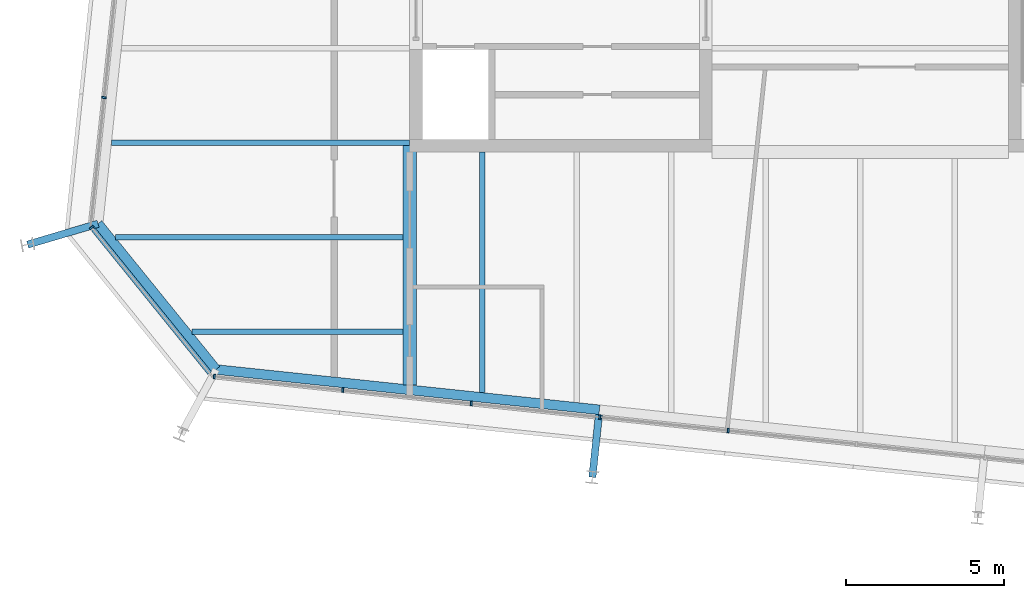
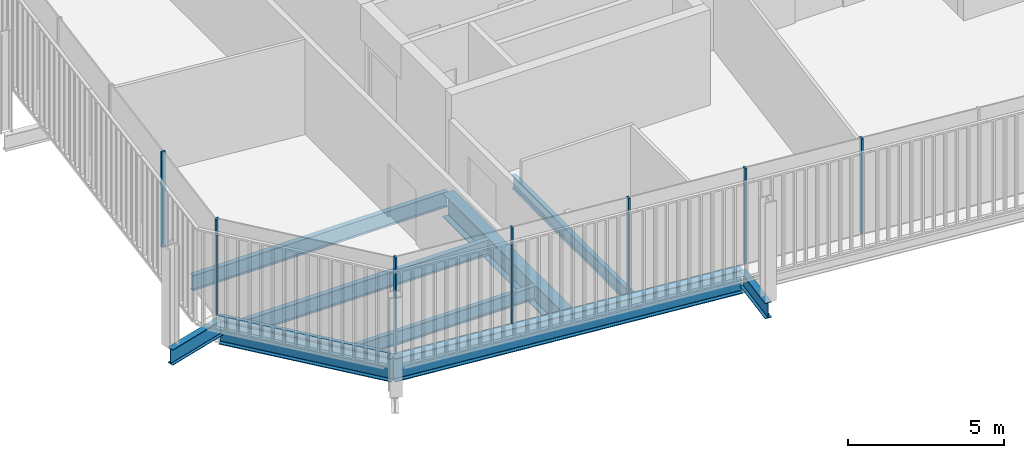
# One storey, part 3 of 20: 9 beams, 8 members, 3 elements without a shape of their own.
"""IFC4 building model written with IfcOpenShell, lengths in metres."""

from ifc_helpers import new_model, si_unit, direction, frame, origin, origin_2d, place, context, subcontext, project, spatial, rectangle, i_section, extrude, material, layer, layer_set, material_profile, profile_set, type_object, element, aggregate, save


model = new_model("IFC4")

# Units and contexts
model_context = context("Model", 3, precision=1e-05, world=origin(), true_north=direction((0.0, 1.0)))
body_context = subcontext(model_context, "Body", "Model", "MODEL_VIEW")
ifc_project = project(units=[si_unit("LENGTHUNIT", "METRE"), si_unit("AREAUNIT", "SQUARE_METRE"), si_unit("VOLUMEUNIT", "CUBIC_METRE"), si_unit("PLANEANGLEUNIT", "RADIAN"), si_unit("MASSUNIT", "GRAM", prefix="KILO")], contexts=[model_context])

# Site, building, storey
site_placement = place(None, origin())
site = spatial("IfcSite", under=ifc_project, at=site_placement, CompositionType="ELEMENT")
building_placement = place(site_placement, origin())
building = spatial("IfcBuilding", under=site, at=building_placement, Name="Millrace Tower", CompositionType="ELEMENT")
storey_placement = place(building_placement, frame((0.0, 0.0, 303.300048828125)))
storey = spatial("IfcBuildingStorey", under=building, at=storey_placement, Name="L70", CompositionType="ELEMENT", Elevation=303.300048828125)

# Curtain wall, member
ifc_material_1 = material(Name="Aluminium and glass", Category="aluminium")
ifc_layer = layer(ifc_material_1, 0.14990234375)
ifc_layer_set = layer_set([ifc_layer], Name="Aluminium and glass")
curtain_wall_type = type_object("IfcCurtainWallType", Name="CW-1 office vision curtain wall", PredefinedType="NOTDEFINED", material=ifc_layer_set)
placement = place(storey_placement, origin())
curtain_wall_1 = element("IfcCurtainWall", 1, at=placement, inside=storey, type_object=curtain_wall_type, Name="Curtain wall E-F01 L70", PredefinedType="NOTDEFINED")
ifc_material_2 = material(Name="Aluminium", Category="aluminium")
ifc_material_profile_1 = material_profile(ifc_material_2, rectangle(XDim=0.06494140625, YDim=0.14990234375, at=origin_2d()))
ifc_profile_set_1 = profile_set([ifc_material_profile_1], Name="Aluminium")
member_type_1 = type_object("IfcMemberType", Name="CW-1 office vision curtain wall mullion", PredefinedType="MULLION", material=ifc_profile_set_1)
member_1_placement = place(storey_placement, frame((-24.391845703125, -11.693359375, 0.139892578125), z_axis=(0.0, 0.0, 1.0), x_axis=(0.629320278945, -0.777146052237, 0.0)))
member_1 = element("IfcMember", 2, at=member_1_placement, type_object=member_type_1, Name="CW1 mullion E-F01.1", PredefinedType="MULLION", context=body_context, shape_type="SweptSolid", body=[
    extrude(rectangle(XDim=0.06494140625, YDim=0.14990234375, at=origin_2d()), origin(), (0.0, 0.0, 1.0), 3.760009765625),
])

# Curtain wall, members
curtain_wall_2 = element("IfcCurtainWall", 3, at=placement, inside=storey, type_object=curtain_wall_type, Name="Curtain wall E-F02 L70", PredefinedType="NOTDEFINED")
member_2_placement = place(storey_placement, frame((-20.50244140625, -16.4248046875, 0.139892578125), z_axis=(0.0, 0.0, 1.0), x_axis=(0.994521896217, -0.104528455196, 0.0)))
member_2 = element("IfcMember", 4, at=member_2_placement, type_object=member_type_1, Name="CW1 mullion E-F02.1", PredefinedType="MULLION", context=body_context, shape_type="SweptSolid", body=[
    extrude(rectangle(XDim=0.06494140625, YDim=0.14990234375, at=origin_2d()), origin(), (0.0, 0.0, 1.0), 3.760009765625),
])
member_3_placement = place(storey_placement, frame((-16.425048828125, -16.853271484375, 0.139892578125), z_axis=(0.0, 0.0, 1.0), x_axis=(0.994521896217, -0.104528455196, 0.0)))
member_3 = element("IfcMember", 5, at=member_3_placement, type_object=member_type_1, Name="CW1 mullion E-F02.2", PredefinedType="MULLION", context=body_context, shape_type="SweptSolid", body=[
    extrude(rectangle(XDim=0.06494140625, YDim=0.14990234375, at=origin_2d()), origin(), (0.0, 0.0, 1.0), 3.760009765625),
])
member_4_placement = place(storey_placement, frame((-12.347412109375, -17.281982421875, 0.139892578125), z_axis=(0.0, 0.0, 1.0), x_axis=(0.994521896217, -0.104528455196, 0.0)))
member_4 = element("IfcMember", 6, at=member_4_placement, type_object=member_type_1, Name="CW1 mullion E-F02.3", PredefinedType="MULLION", context=body_context, shape_type="SweptSolid", body=[
    extrude(rectangle(XDim=0.06494140625, YDim=0.14990234375, at=origin_2d()), origin(), (0.0, 0.0, 1.0), 3.760009765625),
])
member_5_placement = place(storey_placement, frame((-8.269775390625, -17.71044921875, 0.139892578125), z_axis=(0.0, 0.0, 1.0), x_axis=(0.994521896217, -0.104528455196, 0.0)))
member_5 = element("IfcMember", 7, at=member_5_placement, type_object=member_type_1, Name="CW1 mullion E-F02.4", PredefinedType="MULLION", context=body_context, shape_type="SweptSolid", body=[
    extrude(rectangle(XDim=0.06494140625, YDim=0.14990234375, at=origin_2d()), origin(), (0.0, 0.0, 1.0), 3.760009765625),
])
member_6_placement = place(storey_placement, frame((-4.1923828125, -18.13916015625, 0.139892578125), z_axis=(0.0, 0.0, 1.0), x_axis=(0.994521896217, -0.104528455196, 0.0)))
member_6 = element("IfcMember", 8, at=member_6_placement, type_object=member_type_1, Name="CW1 mullion E-F02.5", PredefinedType="MULLION", context=body_context, shape_type="SweptSolid", body=[
    extrude(rectangle(XDim=0.06494140625, YDim=0.14990234375, at=origin_2d()), origin(), (0.0, 0.0, 1.0), 3.760009765625),
])
aggregate(curtain_wall_2, [member_2, member_3, member_4, member_5, member_6])

# Curtain wall, member
curtain_wall_3 = element("IfcCurtainWall", 9, at=placement, inside=storey, type_object=curtain_wall_type, Name="Curtain wall E-F08 L70", PredefinedType="NOTDEFINED")
member_7_placement = place(storey_placement, frame((-24.00341796875, -7.56787109375, 0.139892578125), z_axis=(0.0, 0.0, 1.0), x_axis=(-0.104528455196, -0.994521896217, 0.0)))
member_7 = element("IfcMember", 10, at=member_7_placement, type_object=member_type_1, Name="CW1 mullion E-F08.9", PredefinedType="MULLION", context=body_context, shape_type="SweptSolid", body=[
    extrude(rectangle(XDim=0.06494140625, YDim=0.14990234375, at=origin_2d()), origin(), (0.0, 0.0, 1.0), 3.760009765625),
])
aggregate(curtain_wall_3, [member_7])

# Member
ifc_material_3 = material(Name="Aluminium", Category="aluminium")
ifc_material_profile_2 = material_profile(ifc_material_3, rectangle(XDim=0.14990234375, YDim=0.139892578125, at=origin_2d()))
ifc_profile_set_2 = profile_set([ifc_material_profile_2], Name="Aluminium")
member_type_2 = type_object("IfcMemberType", Name="CW-1 office vision curtain wall transom", PredefinedType="USERDEFINED", material=ifc_profile_set_2)
member_8_placement = place(storey_placement, frame((-24.349365234375, -11.745849609375, 0.070068359375), z_axis=(0.629321221277, -0.777145289151, 0.0), x_axis=(0.777145289151, 0.629321221277, 0.0)))
member_8 = element("IfcMember", 11, at=member_8_placement, type_object=member_type_2, Name="CW1 transom E-F01.1", ObjectType="TRANSOM", PredefinedType="USERDEFINED", context=body_context, shape_type="SweptSolid", body=[
    extrude(rectangle(XDim=0.14990234375, YDim=0.139892578125, at=origin_2d()), origin(), (0.0, 0.0, 1.0), 5.881103515625),
])

aggregate(curtain_wall_1, [member_1, member_8])

# Beams
ifc_material_4 = material(Name="Steel ASTM A992 Grade 50", Category="steel")
ifc_material_profile_3 = material_profile(ifc_material_4, i_section(OverallWidth=0.1650390625, OverallDepth=0.52587890625, WebThickness=0.0087890625, FlangeThickness=0.011474609375, FilletRadius=0.0126953125, at=origin_2d()))
ifc_profile_set_3 = profile_set([ifc_material_profile_3], Name="Steel ASTM A992 Grade 50")
beam_type_1 = type_object("IfcBeamType", Name="Floor beam W21x44", PredefinedType="JOIST", material=ifc_profile_set_3)
beam_1_placement = place(storey_placement, frame((-12.0, -16.93408203125, -0.4228515625), z_axis=(0.0, 1.0, 0.0), x_axis=(-1.0, 0.0, 0.0)))
element("IfcBeam", 12, at=beam_1_placement, inside=storey, type_object=beam_type_1, Name="BM-E-L70-S1-S037", PredefinedType="JOIST", context=body_context, shape_type="SweptSolid", body=[
    extrude(i_section(OverallWidth=0.1650390625, OverallDepth=0.52587890625, WebThickness=0.0087890625, FlangeThickness=0.011474609375, FilletRadius=0.0126953125, at=origin_2d()), origin(), (0.0, 0.0, 1.0), 7.634033203125),
])
beam_2_placement = place(storey_placement, frame((-21.214111328125, -15.0, -0.4228515625), z_axis=(1.0, 0.0, 0.0), x_axis=(0.0, 1.0, 0.0)))
element("IfcBeam", 13, at=beam_2_placement, inside=storey, type_object=beam_type_1, Name="BM-E-L70-S1-S002", PredefinedType="JOIST", context=body_context, shape_type="SweptSolid", body=[
    extrude(i_section(OverallWidth=0.1650390625, OverallDepth=0.52587890625, WebThickness=0.0087890625, FlangeThickness=0.011474609375, FilletRadius=0.0126953125, at=origin_2d()), origin(), (0.0, 0.0, 1.0), 6.70458984375),
])
ifc_material_5 = material(Name="Steel ASTM A992 Grade 50", Category="steel")
ifc_material_profile_4 = material_profile(ifc_material_5, i_section(OverallWidth=0.177978515625, OverallDepth=0.599365234375, WebThickness=0.010009765625, FlangeThickness=0.012939453125, FilletRadius=0.012939453125, at=origin_2d()))
ifc_profile_set_4 = profile_set([ifc_material_profile_4], Name="Steel ASTM A992 Grade 50")
beam_type_2 = type_object("IfcBeamType", Name="Floor beam W24x55", PredefinedType="JOIST", material=ifc_profile_set_4)
beam_3_placement = place(storey_placement, frame((-23.76953125, -9.0, -0.459716796875), z_axis=(1.0, 0.0, 0.0), x_axis=(0.0, 1.0, 0.0)))
element("IfcBeam", 14, at=beam_3_placement, inside=storey, type_object=beam_type_2, Name="BM-E-L70-S1-S006", PredefinedType="JOIST", context=body_context, shape_type="SweptSolid", body=[
    extrude(i_section(OverallWidth=0.177978515625, OverallDepth=0.599365234375, WebThickness=0.010009765625, FlangeThickness=0.012939453125, FilletRadius=0.012939453125, at=origin_2d()), origin(), (0.0, 0.0, 1.0), 9.469482421875),
])
beam_4_placement = place(storey_placement, frame((-23.635498046875, -12.0, -0.459716796875), z_axis=(1.0, 0.0, 0.0), x_axis=(0.0, 1.0, 0.0)))
element("IfcBeam", 15, at=beam_4_placement, inside=storey, type_object=beam_type_2, Name="BM-E-L70-S1-S004", PredefinedType="JOIST", context=body_context, shape_type="SweptSolid", body=[
    extrude(i_section(OverallWidth=0.177978515625, OverallDepth=0.599365234375, WebThickness=0.010009765625, FlangeThickness=0.012939453125, FilletRadius=0.012939453125, at=origin_2d()), origin(), (0.0, 0.0, 1.0), 9.1259765625),
])
ifc_material_6 = material(Name="Steel ASTM A992 Grade 50", Category="steel")
ifc_material_profile_5 = material_profile(ifc_material_6, i_section(OverallWidth=0.419189453125, OverallDepth=0.927001953125, WebThickness=0.019287109375, FlangeThickness=0.031982421875, FilletRadius=0.024169921875, at=origin_2d()))
ifc_profile_set_5 = profile_set([ifc_material_profile_5], Name="Steel ASTM A992 Grade 50")
beam_type_3 = type_object("IfcBeamType", Name="Girder short span W36x231", PredefinedType="BEAM", material=ifc_profile_set_5)
beam_5_placement = place(storey_placement, frame((-14.300048828125, -16.6923828125, -0.62353515625), z_axis=(0.0, 1.0, 0.0), x_axis=(-1.0, 0.0, 0.0)))
element("IfcBeam", 16, at=beam_5_placement, inside=storey, type_object=beam_type_3, Name="BM-E-L70-S1-G055", PredefinedType="BEAM", context=body_context, shape_type="SweptSolid", body=[
    extrude(i_section(OverallWidth=0.419189453125, OverallDepth=0.927001953125, WebThickness=0.019287109375, FlangeThickness=0.031982421875, FilletRadius=0.024169921875, at=origin_2d()), origin(), (0.0, 0.0, 1.0), 7.600341796875),
])
ifc_material_7 = material(Name="Steel ASTM A992 Grade 50", Category="steel")
ifc_material_profile_6 = material_profile(ifc_material_7, i_section(OverallWidth=0.23046875, OverallDepth=0.6171875, WebThickness=0.01318359375, FlangeThickness=0.022216796875, FilletRadius=0.012939453125, at=origin_2d()))
ifc_profile_set_6 = profile_set([ifc_material_profile_6], Name="Steel ASTM A992 Grade 50")
beam_type_4 = type_object("IfcBeamType", Name="Link beam W24x94", PredefinedType="BEAM", material=ifc_profile_set_6)
beam_6_placement = place(storey_placement, frame((-24.1943359375, -11.57373046875, -0.46875), z_axis=(-0.958815015936, -0.284031275065, 0.0), x_axis=(0.284031275065, -0.958815015936, 0.0)))
element("IfcBeam", 17, at=beam_6_placement, inside=storey, type_object=beam_type_4, Name="LNK-E-L70-S1-01", PredefinedType="BEAM", context=body_context, shape_type="SweptSolid", body=[
    extrude(i_section(OverallWidth=0.23046875, OverallDepth=0.6171875, WebThickness=0.01318359375, FlangeThickness=0.022216796875, FilletRadius=0.012939453125, at=origin_2d()), origin(), (0.0, 0.0, 1.0), 2.3310546875),
])
beam_7_placement = place(storey_placement, frame((-8.29443359375, -17.632568359375, -0.46875), z_axis=(-0.104494148666, -0.99452550138, 0.0), x_axis=(0.99452550138, -0.104494148666, 0.0)))
element("IfcBeam", 18, at=beam_7_placement, inside=storey, type_object=beam_type_4, Name="LNK-E-L70-S1-15", PredefinedType="BEAM", context=body_context, shape_type="SweptSolid", body=[
    extrude(i_section(OverallWidth=0.23046875, OverallDepth=0.6171875, WebThickness=0.01318359375, FlangeThickness=0.022216796875, FilletRadius=0.012939453125, at=origin_2d()), origin(), (0.0, 0.0, 1.0), 2.0),
])
ifc_material_8 = material(Name="Steel ASTM A992 Grade 50", Category="steel")
ifc_material_profile_7 = material_profile(ifc_material_8, i_section(OverallWidth=0.307373046875, OverallDepth=0.927001953125, WebThickness=0.01953125, FlangeThickness=0.031982421875, FilletRadius=0.01904296875, at=origin_2d()))
ifc_profile_set_7 = profile_set([ifc_material_profile_7], Name="Steel ASTM A992 Grade 50")
beam_type_5 = type_object("IfcBeamType", Name="Ring beam medium span W36x194", PredefinedType="SPANDREL", material=ifc_profile_set_7)
beam_8_placement = place(storey_placement, frame((-8.2783203125, -17.479736328125, -0.62353515625), z_axis=(-0.994521730693, 0.104530030035, 0.0), x_axis=(-0.104530030035, -0.994521730693, 0.0)))
element("IfcBeam", 19, at=beam_8_placement, inside=storey, type_object=beam_type_5, Name="RNG-E-L70-S1-15", PredefinedType="SPANDREL", context=body_context, shape_type="SweptSolid", body=[
    extrude(i_section(OverallWidth=0.307373046875, OverallDepth=0.927001953125, WebThickness=0.01953125, FlangeThickness=0.031982421875, FilletRadius=0.01904296875, at=origin_2d()), origin(), (0.0, 0.0, 1.0), 12.236328125),
])
ifc_material_9 = material(Name="Steel ASTM A992 Grade 50", Category="steel")
ifc_material_profile_8 = material_profile(ifc_material_9, i_section(OverallWidth=0.307373046875, OverallDepth=0.927001953125, WebThickness=0.01953125, FlangeThickness=0.031982421875, FilletRadius=0.01904296875, at=origin_2d()))
ifc_profile_set_8 = profile_set([ifc_material_profile_8], Name="Steel ASTM A992 Grade 50")
beam_type_6 = type_object("IfcBeamType", Name="Ring beam short span W36x194", PredefinedType="SPANDREL", material=ifc_profile_set_8)
beam_9_placement = place(storey_placement, frame((-20.447509765625, -16.20068359375, -0.62353515625), z_axis=(-0.629319722443, 0.777146502883, 0.0), x_axis=(-0.777146502883, -0.629319722443, 0.0)))
element("IfcBeam", 20, at=beam_9_placement, inside=storey, type_object=beam_type_6, Name="RNG-E-L70-S1-16", PredefinedType="SPANDREL", context=body_context, shape_type="SweptSolid", body=[
    extrude(i_section(OverallWidth=0.307373046875, OverallDepth=0.927001953125, WebThickness=0.01953125, FlangeThickness=0.031982421875, FilletRadius=0.01904296875, at=origin_2d()), origin(), (0.0, 0.0, 1.0), 5.953857421875),
])

save(model, "model.ifc")
